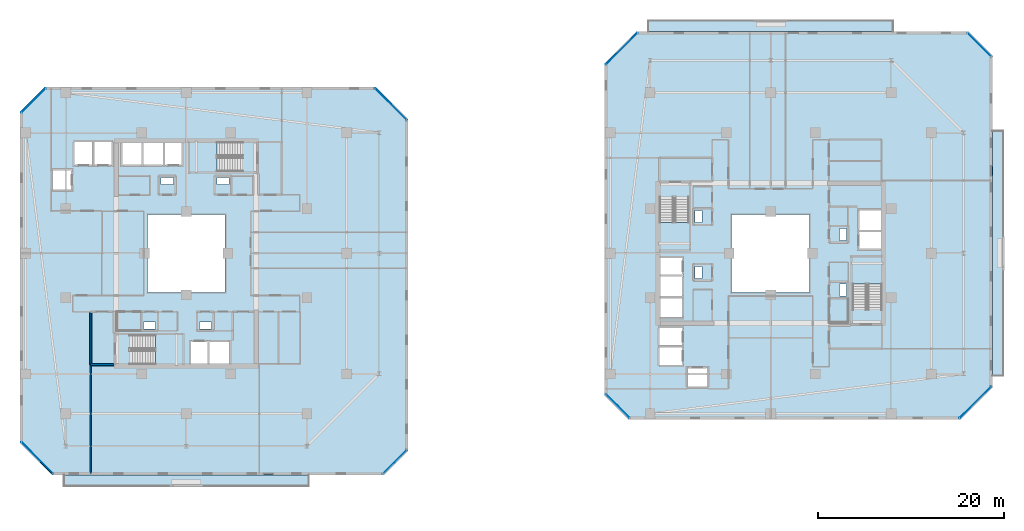
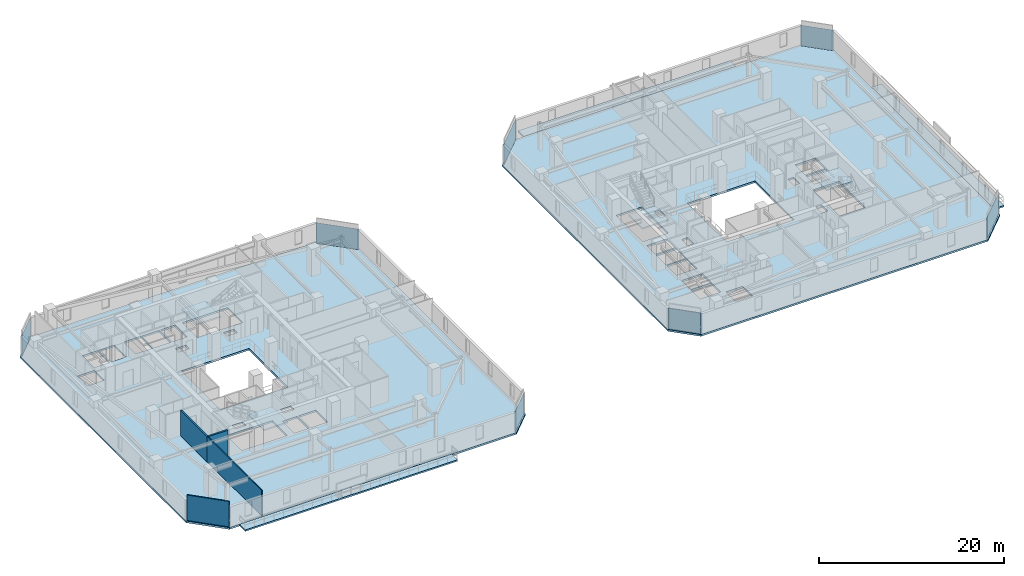
# One storey, part 18 of 33: 9 slabs, 8 plates, 4 walls, 12 elements without a shape of their own.
"""IFC4 building model written with IfcOpenShell, lengths in metres."""

from ifc_helpers import new_model, si_unit, direction, frame, frame_2d, origin, origin_2d, place, context, subcontext, project, spatial, polyline, rectangle, outline, extrude, material, layer, layer_set, type_object, element, aggregate, save


model = new_model("IFC4")

# Units and contexts
model_context = context("Model", 3, precision=1e-05, world=origin(), true_north=direction((0.0, 1.0)))
body_context = subcontext(model_context, "Body", "Model", "MODEL_VIEW")
ifc_project = project(units=[si_unit("LENGTHUNIT", "METRE"), si_unit("AREAUNIT", "SQUARE_METRE"), si_unit("VOLUMEUNIT", "CUBIC_METRE"), si_unit("PLANEANGLEUNIT", "RADIAN"), si_unit("MASSUNIT", "GRAM", prefix="KILO")], contexts=[model_context])

# Site, building, storey
site_placement = place(None, origin())
site = spatial("IfcSite", under=ifc_project, at=site_placement, CompositionType="ELEMENT")
building_placement = place(site_placement, origin())
building = spatial("IfcBuilding", under=site, at=building_placement, Name="Thornwick Lancets Civic Towers", CompositionType="ELEMENT")
storey_placement = place(building_placement, frame((0.0, 0.0, 159.89990234375)))
storey = spatial("IfcBuildingStorey", under=building, at=storey_placement, Name="L42", CompositionType="ELEMENT", Elevation=159.89990234375)

# Curtain wall, plate
ifc_material_1 = material(Name="Mid-zone chamfered-corner unitised glass curtain wall", Category="glass")
curtain_wall_type = type_object("IfcCurtainWallType", Name="CW_SYS_04", PredefinedType="NOTDEFINED", material=ifc_material_1)
curtain_wall_1_placement = place(storey_placement, origin())
curtain_wall_1 = element("IfcCurtainWall", 1, at=curtain_wall_1_placement, inside=storey, type_object=curtain_wall_type, Name="L42 Curtain Wall CW-L42-A-E1", PredefinedType="NOTDEFINED")
ifc_material_2 = material(Name="Low-e double glazing clear glass", Category="glass")
ifc_layer_1 = layer(ifc_material_2, 0.035888671875, Name="Low-e double glazing clear glass")
ifc_layer_set_1 = layer_set([ifc_layer_1], Name="Low-e double glazing clear glass")
plate_type = type_object("IfcPlateType", Name="CW_PNL_GLASS", PredefinedType="CURTAIN_PANEL", material=ifc_layer_set_1)
plate_1_placement = place(storey_placement, frame((47.972900390625, 4.527099609375, 0.0), z_axis=(0.0, 0.0, 1.0), x_axis=(0.707106781187, 0.707106781187, 0.0)))
plate_1 = element("IfcPlate", 2, at=plate_1_placement, type_object=plate_type, Name="CW-L42-A-E1 Panel 0", PredefinedType="CURTAIN_PANEL", context=body_context, shape_type="SweptSolid", body=[
    extrude(rectangle(XDim=3.649169921875, YDim=0.035888671875, at=origin_2d()), origin(), (0.0, 0.0, 1.0), 2.699951171875),
])
aggregate(curtain_wall_1, [plate_1])

curtain_wall_2_placement = place(storey_placement, origin())
curtain_wall_2 = element("IfcCurtainWall", 3, at=curtain_wall_2_placement, inside=storey, type_object=curtain_wall_type, Name="L42 Curtain Wall CW-L42-A-E3", PredefinedType="NOTDEFINED")
plate_2_placement = place(storey_placement, frame((47.5576171875, 43.0576171875, 0.0), z_axis=(0.0, 0.0, 1.0), x_axis=(-0.707106781187, 0.707106781187, 0.0)))
plate_2 = element("IfcPlate", 4, at=plate_2_placement, type_object=plate_type, Name="CW-L42-A-E3 Panel 0", PredefinedType="CURTAIN_PANEL", context=body_context, shape_type="SweptSolid", body=[
    extrude(rectangle(XDim=4.816162109375, YDim=0.035888671875, at=origin_2d()), origin(), (0.0, 0.0, 1.0), 2.699951171875),
])
aggregate(curtain_wall_2, [plate_2])

curtain_wall_3_placement = place(storey_placement, origin())
curtain_wall_3 = element("IfcCurtainWall", 5, at=curtain_wall_3_placement, inside=storey, type_object=curtain_wall_type, Name="L42 Curtain Wall CW-L42-A-E5", PredefinedType="NOTDEFINED")
plate_3_placement = place(storey_placement, frame((9.027099609375, 43.472900390625, 0.0), z_axis=(0.0, 0.0, 1.0), x_axis=(-0.707106781187, -0.707106781187, 0.0)))
plate_3 = element("IfcPlate", 6, at=plate_3_placement, type_object=plate_type, Name="CW-L42-A-E5 Panel 0", PredefinedType="CURTAIN_PANEL", context=body_context, shape_type="SweptSolid", body=[
    extrude(rectangle(XDim=3.649169921875, YDim=0.035888671875, at=origin_2d()), origin(), (0.0, 0.0, 1.0), 2.699951171875),
])
aggregate(curtain_wall_3, [plate_3])

curtain_wall_4_placement = place(storey_placement, origin())
curtain_wall_4 = element("IfcCurtainWall", 7, at=curtain_wall_4_placement, inside=storey, type_object=curtain_wall_type, Name="L42 Curtain Wall CW-L42-A-E7", PredefinedType="NOTDEFINED")
plate_4_placement = place(storey_placement, frame((9.442138671875, 4.942138671875, 0.0), z_axis=(0.0, 0.0, 1.0), x_axis=(0.707106781187, -0.707106781187, 0.0)))
plate_4 = element("IfcPlate", 8, at=plate_4_placement, type_object=plate_type, Name="CW-L42-A-E7 Panel 0", PredefinedType="CURTAIN_PANEL", context=body_context, shape_type="SweptSolid", body=[
    extrude(rectangle(XDim=4.816162109375, YDim=0.035888671875, at=origin_2d()), origin(), (0.0, 0.0, 1.0), 2.699951171875),
])
aggregate(curtain_wall_4, [plate_4])

curtain_wall_5_placement = place(storey_placement, origin())
curtain_wall_5 = element("IfcCurtainWall", 9, at=curtain_wall_5_placement, inside=storey, type_object=curtain_wall_type, Name="L42 Curtain Wall CW-L42-B-E1", PredefinedType="NOTDEFINED")
plate_5_placement = place(storey_placement, frame((110.5576171875, 10.942138671875, 0.0), z_axis=(0.0, 0.0, 1.0), x_axis=(0.707106781187, 0.707106781187, 0.0)))
plate_5 = element("IfcPlate", 10, at=plate_5_placement, type_object=plate_type, Name="CW-L42-B-E1 Panel 0", PredefinedType="CURTAIN_PANEL", context=body_context, shape_type="SweptSolid", body=[
    extrude(rectangle(XDim=4.816162109375, YDim=0.035888671875, at=origin_2d()), origin(), (0.0, 0.0, 1.0), 2.699951171875),
])
aggregate(curtain_wall_5, [plate_5])

curtain_wall_6_placement = place(storey_placement, origin())
curtain_wall_6 = element("IfcCurtainWall", 11, at=curtain_wall_6_placement, inside=storey, type_object=curtain_wall_type, Name="L42 Curtain Wall CW-L42-B-E3", PredefinedType="NOTDEFINED")
plate_6_placement = place(storey_placement, frame((110.972900390625, 49.472900390625, 0.0), z_axis=(0.0, 0.0, 1.0), x_axis=(-0.707106781187, 0.707106781187, 0.0)))
plate_6 = element("IfcPlate", 12, at=plate_6_placement, type_object=plate_type, Name="CW-L42-B-E3 Panel 0", PredefinedType="CURTAIN_PANEL", context=body_context, shape_type="SweptSolid", body=[
    extrude(rectangle(XDim=3.649169921875, YDim=0.035888671875, at=origin_2d()), origin(), (0.0, 0.0, 1.0), 2.699951171875),
])
aggregate(curtain_wall_6, [plate_6])

curtain_wall_7_placement = place(storey_placement, origin())
curtain_wall_7 = element("IfcCurtainWall", 13, at=curtain_wall_7_placement, inside=storey, type_object=curtain_wall_type, Name="L42 Curtain Wall CW-L42-B-E5", PredefinedType="NOTDEFINED")
plate_7_placement = place(storey_placement, frame((72.4423828125, 49.0576171875, 0.0), z_axis=(0.0, 0.0, 1.0), x_axis=(-0.707106781187, -0.707106781187, 0.0)))
plate_7 = element("IfcPlate", 14, at=plate_7_placement, type_object=plate_type, Name="CW-L42-B-E5 Panel 0", PredefinedType="CURTAIN_PANEL", context=body_context, shape_type="SweptSolid", body=[
    extrude(rectangle(XDim=4.816162109375, YDim=0.035888671875, at=origin_2d()), origin(), (0.0, 0.0, 1.0), 2.699951171875),
])
aggregate(curtain_wall_7, [plate_7])

curtain_wall_8_placement = place(storey_placement, origin())
curtain_wall_8 = element("IfcCurtainWall", 15, at=curtain_wall_8_placement, inside=storey, type_object=curtain_wall_type, Name="L42 Curtain Wall CW-L42-B-E7", PredefinedType="NOTDEFINED")
plate_8_placement = place(storey_placement, frame((72.027099609375, 10.527099609375, 0.0), z_axis=(0.0, 0.0, 1.0), x_axis=(0.707106781187, -0.707106781187, 0.0)))
plate_8 = element("IfcPlate", 16, at=plate_8_placement, type_object=plate_type, Name="CW-L42-B-E7 Panel 0", PredefinedType="CURTAIN_PANEL", context=body_context, shape_type="SweptSolid", body=[
    extrude(rectangle(XDim=3.649169921875, YDim=0.035888671875, at=origin_2d()), origin(), (0.0, 0.0, 1.0), 2.699951171875),
])
aggregate(curtain_wall_8, [plate_8])

# Slabs
ifc_material_3 = material(Name="Post-tensioned concrete C40/50", Category="concrete")
ifc_layer_2 = layer(ifc_material_3, 0.199951171875, Name="Post-tensioned concrete C40/50")
ifc_layer_set_2 = layer_set([ifc_layer_2], Name="Post-tensioned concrete C40/50")
slab_type_1 = type_object("IfcSlabType", Name="SLAB_BALCONY_200", PredefinedType="FLOOR", material=ifc_layer_set_2)
slab_1_placement = place(storey_placement, frame((0.0, 0.0, -0.199951171875)))
element("IfcSlab", 17, at=slab_1_placement, inside=storey, type_object=slab_type_1, Name="L42 Tower A Planted Balcony Slab S", PredefinedType="FLOOR", context=body_context, shape_type="SweptSolid", body=[
    extrude(outline(polyline([(12.300048828125, 1.85009765625), (38.699951171875, 1.85009765625), (38.699951171875, 3.10009765625), (12.300048828125, 3.10009765625), (12.300048828125, 1.85009765625)])), origin(), (0.0, 0.0, 1.0), 0.199951171875),
])
slab_2_placement = place(storey_placement, frame((0.0, 0.0, -0.199951171875)))
element("IfcSlab", 18, at=slab_2_placement, inside=storey, type_object=slab_type_1, Name="L42 Tower B Planted Balcony Slab E", PredefinedType="FLOOR", context=body_context, shape_type="SweptSolid", body=[
    extrude(outline(polyline([(112.39990234375, 13.800048828125), (113.64990234375, 13.800048828125), (113.64990234375, 40.199951171875), (112.39990234375, 40.199951171875), (112.39990234375, 13.800048828125)])), origin(), (0.0, 0.0, 1.0), 0.199951171875),
])
slab_3_placement = place(storey_placement, frame((0.0, 0.0, -0.199951171875)))
element("IfcSlab", 19, at=slab_3_placement, inside=storey, type_object=slab_type_1, Name="L42 Tower B Planted Balcony Slab N", PredefinedType="FLOOR", context=body_context, shape_type="SweptSolid", body=[
    extrude(outline(polyline([(75.300048828125, 50.89990234375), (101.699951171875, 50.89990234375), (101.699951171875, 52.14990234375), (75.300048828125, 52.14990234375), (75.300048828125, 50.89990234375)])), origin(), (0.0, 0.0, 1.0), 0.199951171875),
])

# Stair, slab
ifc_material_4 = material(Name="Concrete C40/50", Category="concrete")
stair_type = type_object("IfcStairType", Name="STAIR_DL_3600", PredefinedType="HALF_TURN_STAIR", material=ifc_material_4)
stair_1_placement = place(storey_placement, origin())
stair_1 = element("IfcStair", 20, at=stair_1_placement, inside=storey, type_object=stair_type, Name="L42 Tower A South Exit Stair ST-A1", PredefinedType="HALF_TURN_STAIR")
ifc_layer_3 = layer(ifc_material_4, 0.25, Name="Concrete C40/50")
ifc_layer_set_3 = layer_set([ifc_layer_3], Name="Concrete C40/50")
slab_type_2 = type_object("IfcSlabType", Name="SLAB_LANDING_200", PredefinedType="LANDING", material=ifc_layer_set_3)
slab_4_placement = place(storey_placement, frame((0.0, 0.0, 1.60302734375)))
slab_4 = element("IfcSlab", 21, at=slab_4_placement, type_object=slab_type_2, Name="ST-A1 landing 1", PredefinedType="LANDING", context=body_context, shape_type="SweptSolid", body=[
    extrude(outline(polyline([(22.169921875, 14.93994140625), (25.14990234375, 14.93994140625), (25.14990234375, 18.260009765625), (22.169921875, 18.260009765625), (22.169921875, 14.93994140625)])), origin(), (0.0, 0.0, 1.0), 0.199951171875),
])
aggregate(stair_1, [slab_4])

stair_2_placement = place(storey_placement, origin())
stair_2 = element("IfcStair", 22, at=stair_2_placement, inside=storey, type_object=stair_type, Name="L42 Tower A North Exit Stair ST-A2", PredefinedType="HALF_TURN_STAIR")
slab_5_placement = place(storey_placement, frame((0.0, 0.0, 1.60302734375)))
slab_5 = element("IfcSlab", 23, at=slab_5_placement, type_object=slab_type_2, Name="ST-A2 landing 1", PredefinedType="LANDING", context=body_context, shape_type="SweptSolid", body=[
    extrude(outline(polyline([(28.830078125, 39.06005859375), (25.85009765625, 39.06005859375), (25.85009765625, 35.739990234375), (28.830078125, 35.739990234375), (28.830078125, 39.06005859375)])), origin(), (0.0, 0.0, 1.0), 0.199951171875),
])
aggregate(stair_2, [slab_5])

stair_3_placement = place(storey_placement, origin())
stair_3 = element("IfcStair", 24, at=stair_3_placement, inside=storey, type_object=stair_type, Name="L42 Tower B East Exit Stair ST-B1", PredefinedType="HALF_TURN_STAIR")
slab_6_placement = place(storey_placement, frame((0.0, 0.0, 1.60302734375)))
slab_6 = element("IfcSlab", 25, at=slab_6_placement, type_object=slab_type_2, Name="ST-B1 landing 1", PredefinedType="LANDING", context=body_context, shape_type="SweptSolid", body=[
    extrude(outline(polyline([(100.56005859375, 23.669921875), (100.56005859375, 26.64990234375), (97.239990234375, 26.64990234375), (97.239990234375, 23.669921875), (100.56005859375, 23.669921875)])), origin(), (0.0, 0.0, 1.0), 0.199951171875),
])
aggregate(stair_3, [slab_6])

stair_4_placement = place(storey_placement, origin())
stair_4 = element("IfcStair", 26, at=stair_4_placement, inside=storey, type_object=stair_type, Name="L42 Tower B West Exit Stair ST-B2", PredefinedType="HALF_TURN_STAIR")
slab_7_placement = place(storey_placement, frame((0.0, 0.0, 1.60302734375)))
slab_7 = element("IfcSlab", 27, at=slab_7_placement, type_object=slab_type_2, Name="ST-B2 landing 1", PredefinedType="LANDING", context=body_context, shape_type="SweptSolid", body=[
    extrude(outline(polyline([(76.43994140625, 30.330078125), (76.43994140625, 27.35009765625), (79.760009765625, 27.35009765625), (79.760009765625, 30.330078125), (76.43994140625, 30.330078125)])), origin(), (0.0, 0.0, 1.0), 0.199951171875),
])
aggregate(stair_4, [slab_7])

# Slabs
ifc_layer_4 = layer(ifc_material_3, 0.239990234375, Name="Post-tensioned concrete C40/50")
ifc_layer_set_4 = layer_set([ifc_layer_4], Name="Post-tensioned concrete C40/50")
slab_type_3 = type_object("IfcSlabType", Name="SLAB_PT_240", PredefinedType="FLOOR", material=ifc_layer_set_4)
slab_8_placement = place(storey_placement, frame((0.0, 0.0, -0.239990234375)))
element("IfcSlab", 28, at=slab_8_placement, inside=storey, type_object=slab_type_3, Name="L42 Tower A Floor Slab", PredefinedType="FLOOR", context=body_context, shape_type="SweptSolid", body=[
    extrude(outline(polyline([(11.031005859375, 3.10009765625), (46.800048828125, 3.10009765625), (49.39990234375, 5.699951171875), (49.39990234375, 41.468994140625), (45.968994140625, 44.89990234375), (10.199951171875, 44.89990234375), (7.60009765625, 42.300048828125), (7.60009765625, 6.531005859375), (11.031005859375, 3.10009765625)]), holes=[polyline([(21.300048828125, 22.800048828125), (29.699951171875, 22.800048828125), (29.699951171875, 31.199951171875), (21.300048828125, 31.199951171875), (21.300048828125, 22.800048828125)]), polyline([(19.429931640625, 15.0), (25.10009765625, 15.0), (25.10009765625, 18.199951171875), (19.429931640625, 18.199951171875), (19.429931640625, 15.0)]), polyline([(31.570068359375, 39.0), (25.89990234375, 39.0), (25.89990234375, 35.800048828125), (31.570068359375, 35.800048828125), (31.570068359375, 39.0)]), polyline([(26.0, 15.0), (27.800048828125, 15.0), (27.800048828125, 17.550048828125), (26.0, 17.550048828125), (26.0, 15.0)]), polyline([(28.0, 15.0), (30.14990234375, 15.0), (30.14990234375, 17.550048828125), (28.0, 17.550048828125), (28.0, 15.0)]), polyline([(23.199951171875, 36.449951171875), (25.0, 36.449951171875), (25.0, 39.0), (23.199951171875, 39.0), (23.199951171875, 36.449951171875)]), polyline([(20.85009765625, 36.449951171875), (23.0, 36.449951171875), (23.0, 39.0), (20.85009765625, 39.0), (20.85009765625, 36.449951171875)]), polyline([(18.60009765625, 36.449951171875), (20.699951171875, 36.449951171875), (20.699951171875, 39.0), (18.60009765625, 39.0), (18.60009765625, 36.449951171875)]), polyline([(15.550048828125, 36.449951171875), (17.449951171875, 36.449951171875), (17.449951171875, 39.0), (15.550048828125, 39.0), (15.550048828125, 36.449951171875)]), polyline([(13.449951171875, 36.449951171875), (15.39990234375, 36.449951171875), (15.39990234375, 39.0), (13.449951171875, 39.0), (13.449951171875, 36.449951171875)]), polyline([(11.10009765625, 33.85009765625), (13.199951171875, 33.85009765625), (13.199951171875, 35.949951171875), (11.10009765625, 35.949951171875), (11.10009765625, 33.85009765625)]), polyline([(26.89990234375, 18.85009765625), (28.199951171875, 18.85009765625), (28.199951171875, 19.580078125), (26.89990234375, 19.580078125), (26.89990234375, 18.85009765625)]), polyline([(20.89990234375, 18.85009765625), (22.199951171875, 18.85009765625), (22.199951171875, 19.580078125), (20.89990234375, 19.580078125), (20.89990234375, 18.85009765625)]), polyline([(22.800048828125, 34.419921875), (24.10009765625, 34.419921875), (24.10009765625, 35.14990234375), (22.800048828125, 35.14990234375), (22.800048828125, 34.419921875)]), polyline([(28.800048828125, 34.419921875), (30.10009765625, 34.419921875), (30.10009765625, 35.14990234375), (28.800048828125, 35.14990234375), (28.800048828125, 34.419921875)])]), origin(), (0.0, 0.0, 1.0), 0.239990234375),
])
slab_9_placement = place(storey_placement, frame((0.0, 0.0, -0.239990234375)))
element("IfcSlab", 29, at=slab_9_placement, inside=storey, type_object=slab_type_3, Name="L42 Tower B Floor Slab", PredefinedType="FLOOR", context=body_context, shape_type="SweptSolid", body=[
    extrude(outline(polyline([(73.199951171875, 9.10009765625), (108.968994140625, 9.10009765625), (112.39990234375, 12.531005859375), (112.39990234375, 48.300048828125), (109.800048828125, 50.89990234375), (74.031005859375, 50.89990234375), (70.60009765625, 47.468994140625), (70.60009765625, 11.699951171875), (73.199951171875, 9.10009765625)]), holes=[polyline([(84.300048828125, 22.800048828125), (92.699951171875, 22.800048828125), (92.699951171875, 31.199951171875), (84.300048828125, 31.199951171875), (84.300048828125, 22.800048828125)]), polyline([(100.5, 20.929931640625), (100.5, 26.60009765625), (97.300048828125, 26.60009765625), (97.300048828125, 20.929931640625), (100.5, 20.929931640625)]), polyline([(76.5, 33.070068359375), (76.5, 27.39990234375), (79.699951171875, 27.39990234375), (79.699951171875, 33.070068359375), (76.5, 33.070068359375)]), polyline([(97.949951171875, 27.5), (100.5, 27.5), (100.5, 29.300048828125), (97.949951171875, 29.300048828125), (97.949951171875, 27.5)]), polyline([(97.949951171875, 29.5), (100.5, 29.5), (100.5, 31.64990234375), (97.949951171875, 31.64990234375), (97.949951171875, 29.5)]), polyline([(76.5, 24.699951171875), (79.050048828125, 24.699951171875), (79.050048828125, 26.5), (76.5, 26.5), (76.5, 24.699951171875)]), polyline([(76.5, 22.35009765625), (79.050048828125, 22.35009765625), (79.050048828125, 24.5), (76.5, 24.5), (76.5, 22.35009765625)]), polyline([(76.5, 20.10009765625), (79.050048828125, 20.10009765625), (79.050048828125, 22.199951171875), (76.5, 22.199951171875), (76.5, 20.10009765625)]), polyline([(76.5, 17.050048828125), (79.050048828125, 17.050048828125), (79.050048828125, 18.949951171875), (76.5, 18.949951171875), (76.5, 17.050048828125)]), polyline([(76.5, 14.949951171875), (79.050048828125, 14.949951171875), (79.050048828125, 16.89990234375), (76.5, 16.89990234375), (76.5, 14.949951171875)]), polyline([(79.550048828125, 12.60009765625), (81.64990234375, 12.60009765625), (81.64990234375, 14.699951171875), (79.550048828125, 14.699951171875), (79.550048828125, 12.60009765625)]), polyline([(95.919921875, 28.39990234375), (96.64990234375, 28.39990234375), (96.64990234375, 29.699951171875), (95.919921875, 29.699951171875), (95.919921875, 28.39990234375)]), polyline([(95.919921875, 22.39990234375), (96.64990234375, 22.39990234375), (96.64990234375, 23.699951171875), (95.919921875, 23.699951171875), (95.919921875, 22.39990234375)]), polyline([(80.35009765625, 24.300048828125), (81.080078125, 24.300048828125), (81.080078125, 25.60009765625), (80.35009765625, 25.60009765625), (80.35009765625, 24.300048828125)]), polyline([(80.35009765625, 30.300048828125), (81.080078125, 30.300048828125), (81.080078125, 31.60009765625), (80.35009765625, 31.60009765625), (80.35009765625, 30.300048828125)])]), origin(), (0.0, 0.0, 1.0), 0.239990234375),
])

# Walls
ifc_material_5 = material(Name="Concrete blockwork C40/50", Category="masonry")
ifc_layer_5 = layer(ifc_material_5, 0.199951171875, Name="Concrete blockwork C40/50")
ifc_layer_set_5 = layer_set([ifc_layer_5], Name="Concrete blockwork C40/50")
wall_type_1 = type_object("IfcWallType", Name="WALL_COMP_200", PredefinedType="STANDARD", material=ifc_layer_set_5)
wall_1_placement = place(storey_placement, frame((15.199951171875, 15.0, 0.0), z_axis=(0.0, 0.0, 1.0), x_axis=(1.0, 0.0, 0.0)))
element("IfcWall", 30, at=wall_1_placement, inside=storey, type_object=wall_type_1, Name="L42 Partition L42-A-FFLOB1 E1", PredefinedType="STANDARD", context=body_context, shape_type="SweptSolid", body=[
    extrude(rectangle(XDim=2.5, YDim=0.199951171875, at=frame_2d((1.25, 0.0))), origin(), (0.0, 0.0, 1.0), 3.340087890625),
])
wall_2_placement = place(storey_placement, frame((15.199951171875, 20.699951171875, 0.0), z_axis=(0.0, 0.0, 1.0), x_axis=(0.0, -1.0, 0.0)))
element("IfcWall", 31, at=wall_2_placement, inside=storey, type_object=wall_type_1, Name="L42 Partition L42-A-FFLOB1 E4", PredefinedType="STANDARD", context=body_context, shape_type="SweptSolid", body=[
    extrude(rectangle(XDim=5.699951171875, YDim=0.199951171875, at=frame_2d((2.85009765625, 0.0))), origin(), (0.0, 0.0, 1.0), 3.340087890625),
])
ifc_material_6 = material(Name="Acoustic gypsum board partition")
ifc_layer_6 = layer(ifc_material_6, 0.1201171875, Name="Acoustic gypsum board partition")
ifc_layer_set_6 = layer_set([ifc_layer_6], Name="Acoustic gypsum board partition")
wall_type_2 = type_object("IfcWallType", Name="WALL_PART_120", PredefinedType="PARTITIONING", material=ifc_layer_set_6)
wall_3_placement = place(storey_placement, frame((15.199951171875, 15.0, 0.0), z_axis=(0.0, 0.0, 1.0), x_axis=(0.0, -1.0, 0.0)))
element("IfcWall", 32, at=wall_3_placement, inside=storey, type_object=wall_type_2, Name="L42 Partition L42-A-W1 E7", PredefinedType="PARTITIONING", context=body_context, shape_type="SweptSolid", body=[
    extrude(rectangle(XDim=11.719970703125, YDim=0.1201171875, at=frame_2d((5.85986328125, 0.0))), origin(), (0.0, 0.0, 1.0), 3.340087890625),
])
wall_4_placement = place(storey_placement, frame((11.105712890625, 3.280029296875, 0.0), z_axis=(0.0, 0.0, 1.0), x_axis=(-0.707106781187, 0.707106781187, 0.0)))
element("IfcWall", 33, at=wall_4_placement, inside=storey, type_object=wall_type_2, Name="L42 Partition L42-A-W1 E9", PredefinedType="PARTITIONING", context=body_context, shape_type="SweptSolid", body=[
    extrude(rectangle(XDim=4.703125, YDim=0.1201171875, at=frame_2d((2.3515625, 0.0))), origin(), (0.0, 0.0, 1.0), 3.340087890625),
])

save(model, "model.ifc")
